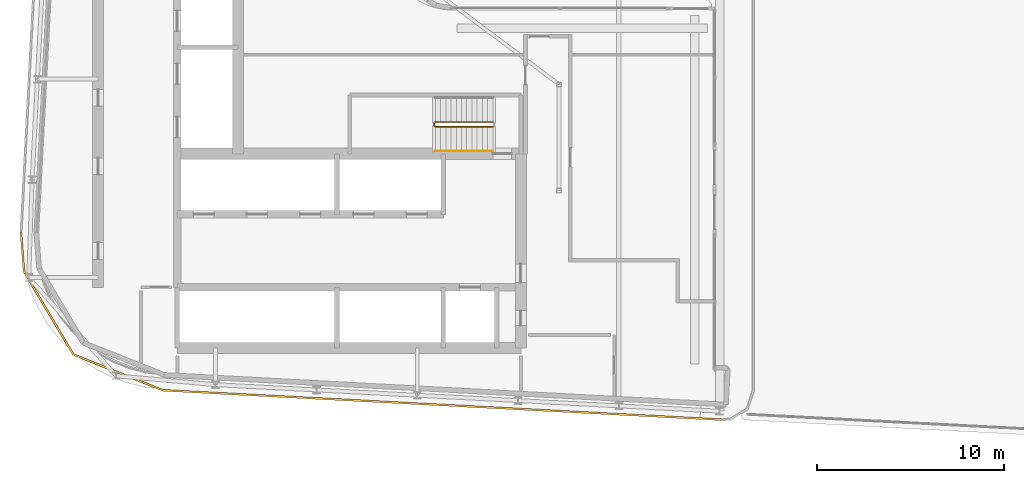
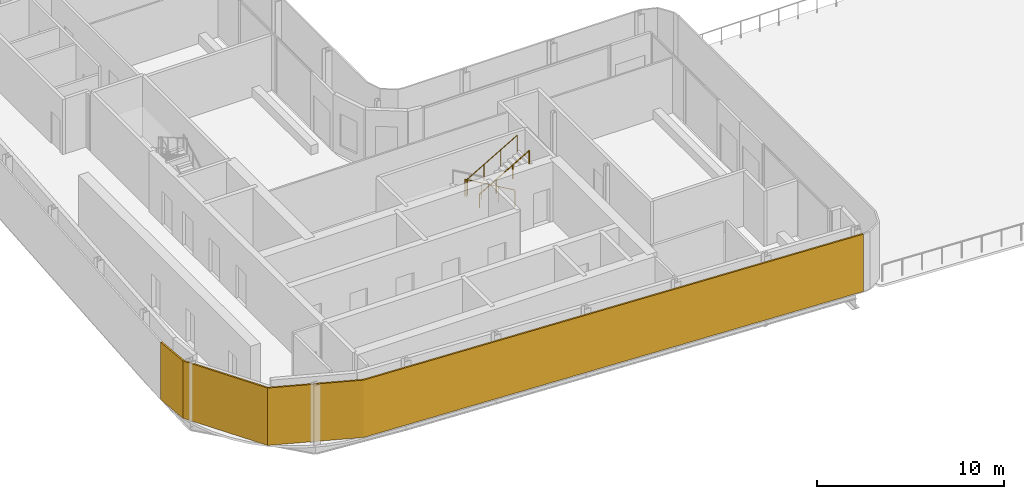
# One storey, part 16 of 22: 2 railings, 1 shading device.
"""IFC4 building model written with IfcOpenShell, lengths in metres."""

from ifc_helpers import new_model, si_unit, direction, frame, origin, origin_2d, place, context, subcontext, project, spatial, polyline, circle, outline, extrude, material, layer, layer_set, type_object, element, save


model = new_model("IFC4")

# Units and contexts
model_context = context("Model", 3, precision=1e-05, world=origin(), true_north=direction((0.0, 1.0)))
body_context = subcontext(model_context, "Body", "Model", "MODEL_VIEW")
ifc_project = project(units=[si_unit("LENGTHUNIT", "METRE"), si_unit("AREAUNIT", "SQUARE_METRE"), si_unit("VOLUMEUNIT", "CUBIC_METRE"), si_unit("PLANEANGLEUNIT", "RADIAN"), si_unit("MASSUNIT", "GRAM", prefix="KILO")], contexts=[model_context])

# Site, building, storey
site_placement = place(None, origin())
site = spatial("IfcSite", under=ifc_project, at=site_placement, CompositionType="ELEMENT")
building_placement = place(site_placement, origin())
building = spatial("IfcBuilding", under=site, at=building_placement, Name="Kheshtan School and Residences Tower", CompositionType="ELEMENT")
storey_placement = place(building_placement, frame((0.0, 0.0, 274.699951171875)))
storey = spatial("IfcBuildingStorey", under=building, at=storey_placement, Name="L64", CompositionType="ELEMENT", Elevation=274.699951171875)

# Shading device
ifc_material_1 = material(Name="Terracotta baguette, extruded ceramic", Category="masonry")
ifc_layer = layer(ifc_material_1, 0.10009765625)
ifc_layer_set = layer_set([ifc_layer], Name="Ledge screen, terracotta baguettes")
shading_device_type = type_object("IfcShadingDeviceType", Name="Ledge screen, terracotta baguettes", PredefinedType="USERDEFINED", material=ifc_layer_set)
shading_device_placement = place(storey_placement, origin())
element("IfcShadingDevice", 1, at=shading_device_placement, inside=storey, type_object=shading_device_type, Name="Screen L64 3", ObjectType="BAGUETTE", PredefinedType="USERDEFINED", context=body_context, shape_type="SweptSolid", body=[
    extrude(outline(polyline([(63.970947265625, 22.001953125), (33.989013671875, 23.580078125), (29.2119140625, 25.486083984375), (26.583984375, 29.906982421875), (26.419921875, 31.989013671875), (26.320068359375, 31.98095703125), (26.486083984375, 29.8759765625), (29.14306640625, 25.406005859375), (33.967041015625, 23.48095703125), (63.966064453125, 21.902099609375), (63.970947265625, 22.001953125)])), origin(), (0.0, 0.0, 1.0), 3.75),
])

# Railings
ifc_material_2 = material(Name="Stainless steel balustrade", Category="steel")
railing_type_1 = type_object("IfcRailingType", Name="Stair guard 1100", PredefinedType="GUARDRAIL", material=ifc_material_2)
railing_1_placement = place(storey_placement, frame((51.64990234375, 37.89990234375, 0.16259765625)))
element("IfcRailing", 2, at=railing_1_placement, inside=storey, type_object=railing_type_1, Name="L64 ST1 stair guard 1", PredefinedType="GUARDRAIL", context=body_context, shape_type="SweptSolid", body=[
    extrude(circle(Radius=0.02392578125, at=origin_2d()), frame((0.0, 0.0, 1.076171875), z_axis=(-0.864903211148, 0.0, 0.501938676878), x_axis=(0.0, -1.0, 0.0)), (0.0, 0.0, 1.0), 3.560791015625),
    extrude(circle(Radius=0.02392578125, at=origin_2d()), frame((-3.079833984375, 0.0, 2.86328125), z_axis=(-0.708833529934, -0.705375805398, 0.0), x_axis=(0.705375805398, -0.708833529934, 0.0)), (0.0, 0.0, 1.0), 0.070556640625),
    extrude(circle(Radius=0.02392578125, at=origin_2d()), frame((-3.1298828125, -0.0498046875, 2.86328125), z_axis=(0.0, -1.0, 0.0), x_axis=(1.0, 0.0, 0.0)), (0.0, 0.0, 1.0), 0.150146484375),
    extrude(circle(Radius=0.02392578125, at=origin_2d()), frame((-3.1298828125, -0.199951171875, 2.86328125), z_axis=(0.282227285176, -0.282227285176, 0.916894497205), x_axis=(0.707106781187, 0.707106781187, 0.0)), (0.0, 0.0, 1.0), 0.17724609375),
    extrude(circle(Radius=0.02392578125, at=origin_2d()), frame((-3.079833984375, -0.25, 3.02587890625), z_axis=(0.864873446163, 0.0, 0.501989962173), x_axis=(0.0, 1.0, 0.0)), (0.0, 0.0, 1.0), 3.56103515625),
    extrude(circle(Radius=0.02099609375, at=origin_2d()), origin(), (0.0, 0.0, 1.0), 1.052001953125),
    extrude(circle(Radius=0.02099609375, at=origin_2d()), frame((-1.026611328125, 0.0, 0.595703125)), (0.0, 0.0, 1.0), 1.052001953125),
    extrude(circle(Radius=0.02099609375, at=origin_2d()), frame((-2.05322265625, 0.0, 1.191650390625)), (0.0, 0.0, 1.0), 1.052001953125),
    extrude(circle(Radius=0.02099609375, at=origin_2d()), frame((-3.079833984375, 0.0, 1.787353515625)), (0.0, 0.0, 1.0), 1.052001953125),
    extrude(circle(Radius=0.02099609375, at=origin_2d()), frame((-3.1298828125, -0.0498046875, 1.787353515625)), (0.0, 0.0, 1.0), 1.052001953125),
    extrude(circle(Radius=0.02099609375, at=origin_2d()), frame((-3.1298828125, -0.199951171875, 1.787353515625)), (0.0, 0.0, 1.0), 1.052001953125),
    extrude(circle(Radius=0.02099609375, at=origin_2d()), frame((-3.079833984375, -0.25, 1.949951171875)), (0.0, 0.0, 1.0), 1.052001953125),
    extrude(circle(Radius=0.02099609375, at=origin_2d()), frame((-2.05322265625, -0.25, 2.5458984375)), (0.0, 0.0, 1.0), 1.052001953125),
    extrude(circle(Radius=0.02099609375, at=origin_2d()), frame((-1.026611328125, -0.25, 3.1416015625)), (0.0, 0.0, 1.0), 1.052001953125),
    extrude(circle(Radius=0.02099609375, at=origin_2d()), frame((0.0, -0.25, 3.737548828125)), (0.0, 0.0, 1.0), 1.052001953125),
])
ifc_material_3 = material(Name="Stainless steel handrail", Category="steel")
railing_type_2 = type_object("IfcRailingType", Name="Stair handrail 900", PredefinedType="HANDRAIL", material=ifc_material_3)
railing_2_placement = place(storey_placement, frame((48.570068359375, 36.35009765625, 2.112548828125)))
element("IfcRailing", 3, at=railing_2_placement, inside=storey, type_object=railing_type_2, Name="L64 ST1 stair handrail 2", PredefinedType="HANDRAIL", context=body_context, shape_type="SweptSolid", body=[
    extrude(circle(Radius=0.02392578125, at=origin_2d()), frame((0.0, 0.0, 0.8759765625), z_axis=(0.864873446163, 0.0, 0.501989962173), x_axis=(0.0, 1.0, 0.0)), (0.0, 0.0, 1.0), 3.56103515625),
    extrude(circle(Radius=0.02099609375, at=origin_2d()), origin(), (0.0, 0.0, 1.0), 0.851806640625),
    extrude(circle(Radius=0.02099609375, at=origin_2d()), frame((1.026611328125, 0.0, 0.595947265625)), (0.0, 0.0, 1.0), 0.851806640625),
    extrude(circle(Radius=0.02099609375, at=origin_2d()), frame((2.05322265625, 0.0, 1.191650390625)), (0.0, 0.0, 1.0), 0.851806640625),
    extrude(circle(Radius=0.02099609375, at=origin_2d()), frame((3.079833984375, 0.0, 1.78759765625)), (0.0, 0.0, 1.0), 0.851806640625),
])

save(model, "model.ifc")
